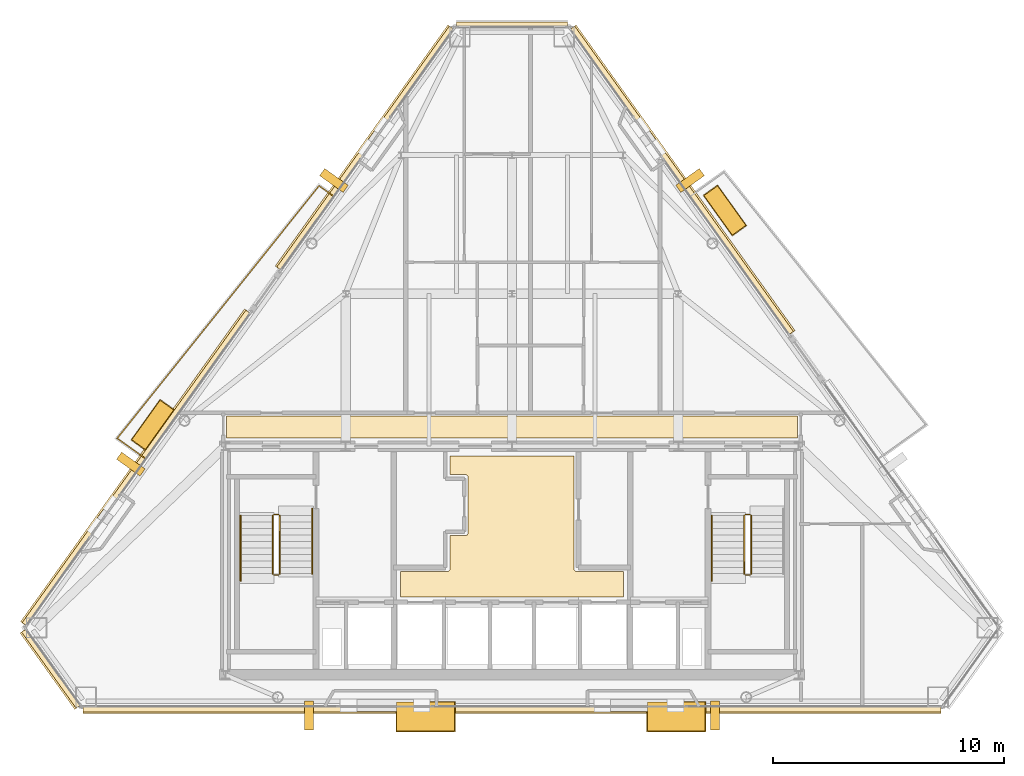
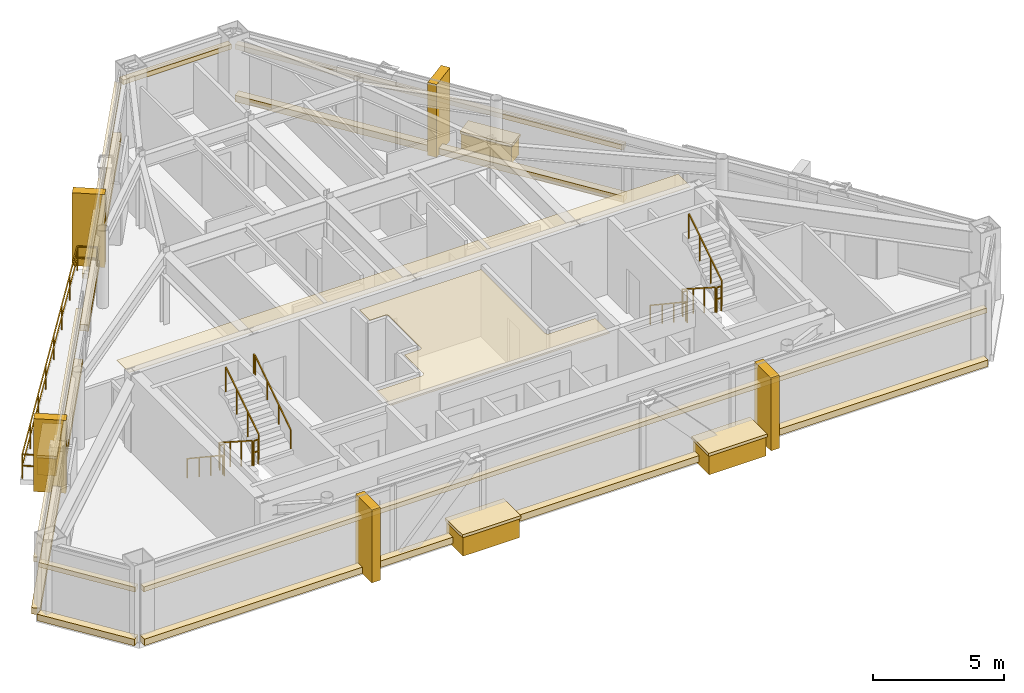
# One storey, part 11 of 12: 26 coverings, 12 railings.
"""IFC4 building model written with IfcOpenShell, lengths in metres."""

import ifcopenshell
import ifcopenshell.guid

model = None  # the IFC model being written
_history = None  # IfcOwnerHistory: only IFC2X3 demands one
_inside = {}  # id of a spatial element -> (the spatial element, [elements in it])
_under = {}  # id of a project, library or spatial element -> (it, [spatial elements below it])
_declared = {}  # id of a project -> (the project, [libraries it declares])
_typed = {}  # id of a type object -> (the type object, [elements of that type])
_made_of = {}  # id of a material, layer set ... -> (it, [elements and type objects made of it])


def new_model(schema):
    """Start an empty IFC model of exactly this schema.

    Asked for "IFC4X3", IfcOpenShell would pick the latest addendum, in which some entities
    have other attributes; the version numbers below select the first issue.
    IFC2X3 requires an IfcOwnerHistory on every rooted entity: one is made here for all.
    """
    global model, _history
    if schema == "IFC4X3":
        model = ifcopenshell.file(schema_version=(4, 3, 0, 0))
    else:
        model = ifcopenshell.file(schema=schema)
    _inside.clear()
    _under.clear()
    _declared.clear()
    _typed.clear()
    _made_of.clear()
    _history = None
    if model.schema == "IFC2X3":
        org = make("IfcOrganization", Name="unknown")
        user = make(
            "IfcPersonAndOrganization",
            ThePerson=make("IfcPerson", FamilyName="unknown"),
            TheOrganization=org,
        )
        app = make(
            "IfcApplication",
            ApplicationDeveloper=org,
            Version="unknown",
            ApplicationFullName="unknown",
            ApplicationIdentifier="unknown",
        )
        _history = make(
            "IfcOwnerHistory",
            OwningUser=user,
            OwningApplication=app,
            ChangeAction="ADDED",
            CreationDate=0,
        )
    return model


def make(cls, **values):
    """One entity of the class cls with the attributes given. An attribute that is None is left unset."""
    return model.create_entity(
        cls, **{name: value for name, value in values.items() if value is not None}
    )


def rooted(cls, **values):
    """An entity with a GlobalId (a new one), such as an element, a storey or a relation."""
    return make(cls, GlobalId=ifcopenshell.guid.new(), OwnerHistory=_history, **values)


def si_unit(unit_type, name, prefix=None):
    """IfcSIUnit, for example si_unit("LENGTHUNIT", "METRE", prefix="MILLI")."""
    return make("IfcSIUnit", UnitType=unit_type, Prefix=prefix, Name=name)


def assignment(units):
    """IfcUnitAssignment: the units of a project."""
    return None if units is None else make("IfcUnitAssignment", Units=units)


def point(xyz):
    """IfcCartesianPoint."""
    return None if xyz is None else make("IfcCartesianPoint", Coordinates=xyz)


def direction(xyz):
    """IfcDirection."""
    return None if xyz is None else make("IfcDirection", DirectionRatios=xyz)


def frame(location, z_axis=None, x_axis=None):
    """IfcAxis2Placement3D, a coordinate frame: its origin and axes. An axis left out is left unset."""
    return make(
        "IfcAxis2Placement3D",
        Location=point(location),
        Axis=direction(z_axis),
        RefDirection=direction(x_axis),
    )


def frame_2d(location, x_axis=None):
    """IfcAxis2Placement2D, a coordinate frame in the plane: its origin and x axis."""
    return make(
        "IfcAxis2Placement2D", Location=point(location), RefDirection=direction(x_axis)
    )


def origin():
    """The frame at (0, 0, 0) with its axes left unset."""
    return frame((0.0, 0.0, 0.0))


def origin_2d():
    """The frame at (0, 0) in the plane with its x axis left unset."""
    return frame_2d((0.0, 0.0))


def place(relative_to, where):
    """IfcLocalPlacement: puts the frame where relative to a parent placement (None: the world)."""
    return make(
        "IfcLocalPlacement", PlacementRelTo=relative_to, RelativePlacement=where
    )


def context(
    kind, dimensions, precision=None, world=None, true_north=None, identifier=None
):
    """IfcGeometricRepresentationContext, for example the 3D "Model" context."""
    return make(
        "IfcGeometricRepresentationContext",
        ContextIdentifier=identifier,
        ContextType=kind,
        CoordinateSpaceDimension=dimensions,
        Precision=precision,
        WorldCoordinateSystem=world,
        TrueNorth=true_north,
    )


def subcontext(parent, identifier, kind, view, scale=None):
    """IfcGeometricRepresentationSubContext, for example "Body" below "Model"."""
    return make(
        "IfcGeometricRepresentationSubContext",
        ContextIdentifier=identifier,
        ContextType=kind,
        ParentContext=parent,
        TargetScale=scale,
        TargetView=view,
    )


def project(units=None, contexts=None):
    """IfcProject with its units and contexts."""
    return rooted(
        "IfcProject",
        Name="project",
        RepresentationContexts=contexts,
        UnitsInContext=assignment(units),
    )


def spatial(cls, under=None, at=None, **own):
    """A site, building, storey or space (cls), placed at a placement, below another one or the project."""
    s = rooted(cls, ObjectPlacement=at, **own)
    if under is not None:
        _under.setdefault(under.id(), (under, []))[1].append(s)
    return s


def polyline(points):
    """IfcPolyline through the points."""
    return make("IfcPolyline", Points=[point(p) for p in points])


def profile(cls, at=None, kind="AREA", **sizes):
    """A parametric profile (cls). Its sizes go by their IFC names, for example OverallWidth=200.0."""
    return make(cls, ProfileType=kind, Position=at, **sizes)


def rectangle(**sizes):
    """IfcRectangleProfileDef."""
    return profile("IfcRectangleProfileDef", **sizes)


def outline(outer, holes=None, kind="AREA"):
    """IfcArbitraryClosedProfileDef: a profile drawn as a closed curve; with holes, ...WithVoids."""
    if holes is None:
        return make("IfcArbitraryClosedProfileDef", ProfileType=kind, OuterCurve=outer)
    return make(
        "IfcArbitraryProfileDefWithVoids",
        ProfileType=kind,
        OuterCurve=outer,
        InnerCurves=holes,
    )


def extrude(swept, where, along, depth):
    """IfcExtrudedAreaSolid: the profile swept, set in the frame where, extruded along a direction by depth."""
    return make(
        "IfcExtrudedAreaSolid",
        SweptArea=swept,
        Position=where,
        ExtrudedDirection=direction(along),
        Depth=depth,
    )


def shape(context_of_items, identifier, shape_type, items):
    """IfcShapeRepresentation: the items that make up one representation, for example the "Body"."""
    return make(
        "IfcShapeRepresentation",
        ContextOfItems=context_of_items,
        RepresentationIdentifier=identifier,
        RepresentationType=shape_type,
        Items=items,
    )


def material(Name=None, Category=None):
    """IfcMaterial."""
    return make("IfcMaterial", Name=Name, Category=Category)


def layer(
    of_material, thickness, ventilated=None, Name=None, Category=None, Priority=None
):
    """IfcMaterialLayer: one layer of a wall or slab, of a material (None: an air gap)."""
    return make(
        "IfcMaterialLayer",
        Material=of_material,
        LayerThickness=thickness,
        IsVentilated=ventilated,
        Name=Name,
        Category=Category,
        Priority=Priority,
    )


def layer_set(layers, Name=None):
    """IfcMaterialLayerSet."""
    return make("IfcMaterialLayerSet", MaterialLayers=layers, LayerSetName=Name)


def made_of(thing, what):
    """Note that an element or type object is made of a material, layer set ...; save() writes the relation."""
    if what is not None:
        _made_of.setdefault(what.id(), (what, []))[1].append(thing)
    return thing


def type_object(cls, material=None, **own):
    """A type object (cls), such as IfcWallType, which elements share."""
    return made_of(rooted(cls, **own), material)


def element(
    cls,
    number,
    at=None,
    inside=None,
    cuts=None,
    type_object=None,
    material=None,
    context=None,
    identifier="Body",
    shape_type=None,
    held_by="IfcProductDefinitionShape",
    body=None,
    shapes=None,
    **own,
):
    """One element of the class cls, such as IfcWall. Its Tag is "e" and its number.

    at: its placement. inside: the storey or other place that contains it. cuts: it is an
    opening in that element (IfcRelVoidsElement). A single representation is given by context,
    identifier, shape_type and body (its items); several are given by shapes. held_by: the class
    of the entity that holds the representations. save() writes the other relations.
    """
    e = rooted(cls, Tag="e%d" % number, ObjectPlacement=at, **own)
    if body is not None:
        shapes = [shape(context, identifier, shape_type, body)]
    if shapes is not None:
        e.Representation = make(held_by, Representations=shapes)
    if inside is not None:
        _inside.setdefault(inside.id(), (inside, []))[1].append(e)
    if cuts is not None:
        rooted(
            "IfcRelVoidsElement", RelatingBuildingElement=cuts, RelatedOpeningElement=e
        )
    if type_object is not None:
        _typed.setdefault(type_object.id(), (type_object, []))[1].append(e)
    return made_of(e, material)


def aggregate(whole, parts):
    """IfcRelAggregates: a whole, such as a stair, and the parts it consists of."""
    return rooted("IfcRelAggregates", RelatingObject=whole, RelatedObjects=parts)


def save(model, path):
    """Write the relations noted so far, then the file.

    IfcRelAggregates (storeys below a building ...), IfcRelContainedInSpatialStructure (elements
    in a storey), IfcRelDefinesByType, IfcRelAssociatesMaterial and IfcRelDeclares: one each for
    every whole, place, type object, material and project.
    """
    for whole, parts in _under.values():
        aggregate(whole, parts)
    for where, things in _inside.values():
        rooted(
            "IfcRelContainedInSpatialStructure",
            RelatedElements=things,
            RelatingStructure=where,
        )
    for kind, things in _typed.values():
        rooted("IfcRelDefinesByType", RelatedObjects=things, RelatingType=kind)
    for what, things in _made_of.values():
        rooted("IfcRelAssociatesMaterial", RelatedObjects=things, RelatingMaterial=what)
    for by, libraries in _declared.values():
        rooted("IfcRelDeclares", RelatingContext=by, RelatedDefinitions=libraries)
    model.write(path)


model = new_model("IFC4")

# Units and contexts
model_context = context("Model", 3, precision=1e-05, world=origin(), true_north=direction((0.0, 1.0)))
body_context = subcontext(model_context, "Body", "Model", "MODEL_VIEW")
ifc_project = project(units=[si_unit("LENGTHUNIT", "METRE"), si_unit("AREAUNIT", "SQUARE_METRE"), si_unit("VOLUMEUNIT", "CUBIC_METRE"), si_unit("PLANEANGLEUNIT", "RADIAN"), si_unit("MASSUNIT", "GRAM", prefix="KILO")], contexts=[model_context])

# Site, building, storey
site_placement = place(None, origin())
site = spatial("IfcSite", under=ifc_project, at=site_placement, CompositionType="ELEMENT")
building_placement = place(site_placement, origin())
building = spatial("IfcBuilding", under=site, at=building_placement, Name="Talgorran Terracotta Tower", CompositionType="ELEMENT")
storey_placement = place(building_placement, frame((0.0, 0.0, 256.199951171875)))
storey = spatial("IfcBuildingStorey", under=building, at=storey_placement, Name="L67", CompositionType="ELEMENT", Elevation=256.199951171875)

# Coverings
ifc_material_1 = material(Name="Kiln-Fired Terracotta Ochre Ceramic", Category="masonry")
ifc_layer_1 = layer(ifc_material_1, 0.179931640625, Name="COV_BAGUETTE_TERRACOTTA_SCREEN")
ifc_layer_set_1 = layer_set([ifc_layer_1], Name="Kiln-Fired Terracotta Ochre Ceramic")
covering_type_1 = type_object("IfcCoveringType", Name="COV_BAGUETTE_TERRACOTTA_SCREEN", PredefinedType="CLADDING", material=ifc_layer_set_1)
covering_1_placement = place(storey_placement, frame((-19.938720703125, -13.818115234375, 2.41015625), z_axis=(0.0, 0.0, 1.0), x_axis=(0.582222304811, -0.813029635242, 0.0)))
element("IfcCovering", 1, at=covering_1_placement, inside=storey, type_object=covering_type_1, Name="L67 Terracotta Baguette Solar Screen Assembly F0", PredefinedType="CLADDING", context=body_context, shape_type="SweptSolid", body=[
    extrude(rectangle(XDim=4.050048828125, YDim=0.260009765625, at=origin_2d()), origin(), (0.0, 0.0, 1.0), 0.219970703125),
])
covering_2_placement = place(storey_placement, frame((0.0, -15.563232421875, 2.41015625), z_axis=(0.0, 0.0, 1.0), x_axis=(1.0, 0.0, 0.0)))
element("IfcCovering", 2, at=covering_2_placement, inside=storey, type_object=covering_type_1, Name="L67 Terracotta Baguette Solar Screen Assembly F1", PredefinedType="CLADDING", context=body_context, shape_type="SweptSolid", body=[
    extrude(rectangle(XDim=37.13525390625, YDim=0.260009765625, at=origin_2d()), origin(), (0.0, 0.0, 1.0), 0.219970703125),
])
covering_3_placement = place(storey_placement, frame((7.3408203125, 7.297607421875, 2.41015625), z_axis=(0.0, 0.0, 1.0), x_axis=(-0.582208114678, 0.813039796814, 0.0)))
element("IfcCovering", 3, at=covering_3_placement, inside=storey, type_object=covering_type_1, Name="L67 Terracotta Baguette Solar Screen Assembly F41", PredefinedType="CLADDING", context=body_context, shape_type="SweptSolid", body=[
    extrude(rectangle(XDim=16.254638671875, YDim=0.260009765625, at=origin_2d()), origin(), (0.0, 0.0, 1.0), 0.219970703125),
])
covering_4_placement = place(storey_placement, frame((0.0, 14.03662109375, 2.41015625), z_axis=(0.0, 0.0, 1.0), x_axis=(-1.0, 0.0, 0.0)))
element("IfcCovering", 4, at=covering_4_placement, inside=storey, type_object=covering_type_1, Name="L67 Terracotta Baguette Solar Screen Assembly F4", PredefinedType="CLADDING", context=body_context, shape_type="SweptSolid", body=[
    extrude(rectangle(XDim=4.787109375, YDim=0.260009765625, at=origin_2d()), origin(), (0.0, 0.0, 1.0), 0.219970703125),
])
covering_5_placement = place(storey_placement, frame((-6.341552734375, 8.693115234375, 2.41015625), z_axis=(0.0, 0.0, 1.0), x_axis=(-0.582208114678, -0.813039796814, 0.0)))
element("IfcCovering", 5, at=covering_5_placement, inside=storey, type_object=covering_type_1, Name="L67 Terracotta Baguette Solar Screen Assembly F60", PredefinedType="CLADDING", context=body_context, shape_type="SweptSolid", body=[
    extrude(rectangle(XDim=12.822021484375, YDim=0.260009765625, at=origin_2d()), origin(), (0.0, 0.0, 1.0), 0.219970703125),
])
covering_6_placement = place(storey_placement, frame((-16.253662109375, -5.149169921875, 2.41015625), z_axis=(0.0, 0.0, 1.0), x_axis=(-0.582208114678, -0.813039796814, 0.0)))
element("IfcCovering", 6, at=covering_6_placement, inside=storey, type_object=covering_type_1, Name="L67 Terracotta Baguette Solar Screen Assembly F61", PredefinedType="CLADDING", context=body_context, shape_type="SweptSolid", body=[
    extrude(rectangle(XDim=16.628662109375, YDim=0.260009765625, at=origin_2d()), origin(), (0.0, 0.0, 1.0), 0.219970703125),
])
ifc_material_2 = material(Name="Mineral Fibre Acoustic Tile")
ifc_layer_2 = layer(ifc_material_2, 0.02490234375, Name="COV_CEIL_ACOUSTIC")
ifc_layer_set_2 = layer_set([ifc_layer_2], Name="Mineral Fibre Acoustic Tile")
covering_type_2 = type_object("IfcCoveringType", Name="COV_CEIL_ACOUSTIC", PredefinedType="CEILING", material=ifc_layer_set_2)
covering_7_placement = place(storey_placement, frame((0.0, 0.0, 3.255126953125)))
element("IfcCovering", 7, at=covering_7_placement, inside=storey, type_object=covering_type_2, Name="CEIL-L67-2", PredefinedType="CEILING", context=body_context, shape_type="SweptSolid", body=[
    extrude(outline(polyline([(-12.364990234375, -2.885009765625), (12.364990234375, -2.885009765625), (12.364990234375, -3.844970703125), (7.432861328125, -3.844970703125), (6.968017578125, -3.843017578125), (6.967529296875, -3.843017578125), (0.232666015625, -3.844970703125), (-0.23193359375, -3.843017578125), (-0.232421875, -3.843017578125), (-6.96728515625, -3.844970703125), (-7.431884765625, -3.843017578125), (-7.4326171875, -3.843017578125), (-12.364990234375, -3.844970703125), (-12.364990234375, -2.885009765625)])), origin(), (0.0, 0.0, 1.0), 0.02001953125),
])
ifc_material_3 = material(Name="Flush Moisture-Resistant Plaster")
ifc_layer_3 = layer(ifc_material_3, 0.01806640625, Name="COV_CEIL_PLASTER")
ifc_layer_set_3 = layer_set([ifc_layer_3], Name="Flush Moisture-Resistant Plaster")
covering_type_3 = type_object("IfcCoveringType", Name="COV_CEIL_PLASTER", PredefinedType="CEILING", material=ifc_layer_set_3)
covering_8_placement = place(storey_placement, frame((0.0, 0.0, 3.255126953125)))
element("IfcCovering", 8, at=covering_8_placement, inside=storey, type_object=covering_type_3, Name="CEIL-L67-1", PredefinedType="CEILING", context=body_context, shape_type="SweptSolid", body=[
    extrude(outline(polyline([(2.679931640625, -4.6201171875), (2.679931640625, -9.5), (2.6806640625, -9.51171875), (2.682373046875, -9.5234375), (2.685302734375, -9.534912109375), (2.689208984375, -9.5458984375), (2.694091796875, -9.556640625), (2.7001953125, -9.566650390625), (2.707275390625, -9.576171875), (2.715087890625, -9.5849609375), (2.723876953125, -9.5927734375), (2.7333984375, -9.599853515625), (2.743408203125, -9.605712890625), (2.754150390625, -9.61083984375), (2.76513671875, -9.61474609375), (2.776611328125, -9.61767578125), (2.7880859375, -9.619384765625), (2.800048828125, -9.6201171875), (4.830078125, -9.6201171875), (4.830078125, -10.72998046875), (-4.830078125, -10.72998046875), (-4.830078125, -9.6201171875), (-2.800048828125, -9.6201171875), (-2.7880859375, -9.619384765625), (-2.776611328125, -9.61767578125), (-2.76513671875, -9.61474609375), (-2.754150390625, -9.61083984375), (-2.743408203125, -9.605712890625), (-2.7333984375, -9.599853515625), (-2.723876953125, -9.5927734375), (-2.715087890625, -9.5849609375), (-2.707275390625, -9.576171875), (-2.7001953125, -9.566650390625), (-2.694091796875, -9.556640625), (-2.689208984375, -9.5458984375), (-2.685302734375, -9.534912109375), (-2.682373046875, -9.5234375), (-2.6806640625, -9.51171875), (-2.679931640625, -9.5), (-2.679931640625, -8.070068359375), (-2.02001953125, -8.070068359375), (-2.00830078125, -8.0693359375), (-1.99658203125, -8.067626953125), (-1.985107421875, -8.064697265625), (-1.97412109375, -8.060791015625), (-1.96337890625, -8.055908203125), (-1.953369140625, -8.0498046875), (-1.94384765625, -8.042724609375), (-1.93505859375, -8.034912109375), (-1.92724609375, -8.026123046875), (-1.920166015625, -8.0166015625), (-1.914306640625, -8.006591796875), (-1.9091796875, -7.995849609375), (-1.9052734375, -7.98486328125), (-1.90234375, -7.973388671875), (-1.900634765625, -7.9619140625), (-1.89990234375, -7.949951171875), (-1.89990234375, -5.550048828125), (-1.900634765625, -5.5380859375), (-1.90234375, -5.526611328125), (-1.9052734375, -5.51513671875), (-1.9091796875, -5.504150390625), (-1.914306640625, -5.493408203125), (-1.920166015625, -5.4833984375), (-1.92724609375, -5.473876953125), (-1.93505859375, -5.465087890625), (-1.94384765625, -5.457275390625), (-1.953369140625, -5.4501953125), (-1.96337890625, -5.444091796875), (-1.97412109375, -5.439208984375), (-1.985107421875, -5.435302734375), (-1.99658203125, -5.432373046875), (-2.00830078125, -5.4306640625), (-2.02001953125, -5.429931640625), (-2.679931640625, -5.429931640625), (-2.679931640625, -4.6201171875), (2.679931640625, -4.6201171875)])), origin(), (0.0, 0.0, 1.0), 0.02001953125),
])
ifc_material_4 = material(Name="Honed Limestone and Terracotta Planter", Category="masonry")
ifc_layer_4 = layer(ifc_material_4, 0.1201171875, Name="COV_PLANTER_BOX")
ifc_layer_set_4 = layer_set([ifc_layer_4], Name="Honed Limestone and Terracotta Planter")
covering_type_4 = type_object("IfcCoveringType", Name="COV_PLANTER_BOX", PredefinedType="CLADDING", material=ifc_layer_set_4)
for number, where, z_axis, x_axis, name in (
    (9, (7.105712890625, -15.9033203125, -0.179931640625), (0.0, 0.0, 1.0), (1.0, 0.0, 0.0), "L67 Staggered South Facade Planter Box 1"),
    (10, (-3.739990234375, -15.9033203125, -0.179931640625), (0.0, 0.0, 1.0), (1.0, 0.0, 0.0), "L67 Staggered South Facade Planter Box 2"),
):
    element("IfcCovering", number, at=place(storey_placement, frame(where, z_axis=z_axis, x_axis=x_axis)), inside=storey, type_object=covering_type_4, Name=name, PredefinedType="CLADDING", context=body_context, shape_type="SweptSolid", body=[
        extrude(rectangle(XDim=2.5, YDim=1.25, at=origin_2d()), origin(), (0.0, 0.0, 1.0), 0.919921875),
    ])
for number, where, z_axis, x_axis, name in (
    (11, (9.215087890625, 6.002685546875, -0.02001953125), (0.0, 0.0, 1.0), (-0.582208114678, 0.813039796814, 0.0), "L67 Staggered Balcony Planter Box BAL-NE"),
    (12, (-15.55029296875, -3.275390625, -0.02001953125), (0.0, 0.0, 1.0), (-0.582208114678, -0.813039796814, 0.0), "L67 Staggered Balcony Planter Box BAL-NW"),
):
    element("IfcCovering", number, at=place(storey_placement, frame(where, z_axis=z_axis, x_axis=x_axis)), inside=storey, type_object=covering_type_4, Name=name, PredefinedType="CLADDING", context=body_context, shape_type="SweptSolid", body=[
        extrude(rectangle(XDim=2.10009765625, YDim=0.719970703125, at=origin_2d()), origin(), (0.0, 0.0, 1.0), 0.860107421875),
    ])
ifc_material_5 = material(Name="Kiln-Fired Terracotta Planter Rim", Category="masonry")
ifc_layer_5 = layer(ifc_material_5, 0.10009765625, Name="COV_PLANTER_RIM")
ifc_layer_set_5 = layer_set([ifc_layer_5], Name="Kiln-Fired Terracotta Planter Rim")
covering_type_5 = type_object("IfcCoveringType", Name="COV_PLANTER_RIM", PredefinedType="CLADDING", material=ifc_layer_set_5)
for number, where, z_axis, x_axis, name in (
    (13, (7.105712890625, -15.9033203125, 0.7099609375), (0.0, 0.0, 1.0), (1.0, 0.0, 0.0), "L67 South Planter Terracotta Rim 1"),
    (14, (-3.739990234375, -15.9033203125, 0.7099609375), (0.0, 0.0, 1.0), (1.0, 0.0, 0.0), "L67 South Planter Terracotta Rim 2"),
):
    element("IfcCovering", number, at=place(storey_placement, frame(where, z_axis=z_axis, x_axis=x_axis)), inside=storey, type_object=covering_type_5, Name=name, PredefinedType="CLADDING", context=body_context, shape_type="SweptSolid", body=[
        extrude(rectangle(XDim=2.580078125, YDim=1.320068359375, at=origin_2d()), origin(), (0.0, 0.0, 1.0), 0.139892578125),
    ])
for number, where, z_axis, x_axis, name in (
    (15, (9.215087890625, 6.002685546875, 0.800048828125), (0.0, 0.0, 1.0), (-0.582208114678, 0.813039796814, 0.0), "L67 Balcony Planter Terracotta Rim BAL-NE"),
    (16, (-15.55029296875, -3.275390625, 0.800048828125), (0.0, 0.0, 1.0), (-0.582208114678, -0.813039796814, 0.0), "L67 Balcony Planter Terracotta Rim BAL-NW"),
):
    element("IfcCovering", number, at=place(storey_placement, frame(where, z_axis=z_axis, x_axis=x_axis)), inside=storey, type_object=covering_type_5, Name=name, PredefinedType="CLADDING", context=body_context, shape_type="SweptSolid", body=[
        extrude(rectangle(XDim=2.179931640625, YDim=0.780029296875, at=origin_2d()), origin(), (0.0, 0.0, 1.0), 0.1201171875),
    ])
ifc_material_6 = material(Name="Honed Limestone Cladding", Category="masonry")
ifc_layer_6 = layer(ifc_material_6, 0.094970703125, Name="COV_PORTAL_LIME")
ifc_layer_set_6 = layer_set([ifc_layer_6], Name="Honed Limestone Cladding")
covering_type_6 = type_object("IfcCoveringType", Name="COV_PORTAL_LIME", PredefinedType="CLADDING", material=ifc_layer_set_6)
for number, where, z_axis, x_axis, name in (
    (17, (-8.788818359375, -15.86328125, -0.050048828125), (0.0, 0.0, 1.0), (1.0, 0.0, 0.0), "L67 White Striped Portal Fin F1-1"),
    (18, (-7.708251953125, 7.2998046875, -0.050048828125), (0.0, 0.0, 1.0), (-0.582208114678, -0.813039796814, 0.0), "L67 White Striped Portal Fin F5-1"),
):
    element("IfcCovering", number, at=place(storey_placement, frame(where, z_axis=z_axis, x_axis=x_axis)), inside=storey, type_object=covering_type_6, Name=name, PredefinedType="CLADDING", context=body_context, shape_type="SweptSolid", body=[
        extrude(rectangle(XDim=0.3798828125, YDim=1.25, at=origin_2d()), origin(), (0.0, 0.0, 1.0), 3.39501953125),
    ])
ifc_material_7 = material(Name="Kiln-Fired Terracotta Cladding", Category="masonry")
ifc_layer_7 = layer(ifc_material_7, 0.090087890625, Name="COV_PORTAL_TERRA")
ifc_layer_set_7 = layer_set([ifc_layer_7], Name="Kiln-Fired Terracotta Cladding")
covering_type_7 = type_object("IfcCoveringType", Name="COV_PORTAL_TERRA", PredefinedType="CLADDING", material=ifc_layer_set_7)
covering_9_placement = place(storey_placement, frame((-19.97119140625, -13.841552734375, -0.0400390625), z_axis=(0.0, 0.0, 1.0), x_axis=(0.582222304811, -0.813029635242, 0.0)))
element("IfcCovering", 19, at=covering_9_placement, inside=storey, type_object=covering_type_7, Name="L67 Striped Postmodern Portal Cladding Band F0", PredefinedType="CLADDING", context=body_context, shape_type="SweptSolid", body=[
    extrude(rectangle(XDim=4.070068359375, YDim=0.340087890625, at=origin_2d()), origin(), (0.0, 0.0, 1.0), 0.300048828125),
])
covering_10_placement = place(storey_placement, frame((0.0, -15.603271484375, -0.0400390625), z_axis=(0.0, 0.0, 1.0), x_axis=(1.0, 0.0, 0.0)))
element("IfcCovering", 20, at=covering_10_placement, inside=storey, type_object=covering_type_7, Name="L67 Striped Postmodern Portal Cladding Band F1", PredefinedType="CLADDING", context=body_context, shape_type="SweptSolid", body=[
    extrude(rectangle(XDim=37.1552734375, YDim=0.340087890625, at=origin_2d()), origin(), (0.0, 0.0, 1.0), 0.300048828125),
])
covering_11_placement = place(storey_placement, frame((7.373291015625, 7.321044921875, -0.0400390625), z_axis=(0.0, 0.0, 1.0), x_axis=(-0.582208114678, 0.813039796814, 0.0)))
element("IfcCovering", 21, at=covering_11_placement, inside=storey, type_object=covering_type_7, Name="L67 Striped Postmodern Portal Cladding Band F41", PredefinedType="CLADDING", context=body_context, shape_type="SweptSolid", body=[
    extrude(rectangle(XDim=16.274658203125, YDim=0.340087890625, at=origin_2d()), origin(), (0.0, 0.0, 1.0), 0.300048828125),
])
covering_12_placement = place(storey_placement, frame((-6.3740234375, 8.71630859375, -0.0400390625), z_axis=(0.0, 0.0, 1.0), x_axis=(-0.582208114678, -0.813039796814, 0.0)))
element("IfcCovering", 22, at=covering_12_placement, inside=storey, type_object=covering_type_7, Name="L67 Striped Postmodern Portal Cladding Band F60", PredefinedType="CLADDING", context=body_context, shape_type="SweptSolid", body=[
    extrude(rectangle(XDim=12.842041015625, YDim=0.340087890625, at=origin_2d()), origin(), (0.0, 0.0, 1.0), 0.300048828125),
])
covering_13_placement = place(storey_placement, frame((-16.2861328125, -5.1259765625, -0.0400390625), z_axis=(0.0, 0.0, 1.0), x_axis=(-0.582208114678, -0.813039796814, 0.0)))
element("IfcCovering", 23, at=covering_13_placement, inside=storey, type_object=covering_type_7, Name="L67 Striped Postmodern Portal Cladding Band F61", PredefinedType="CLADDING", context=body_context, shape_type="SweptSolid", body=[
    extrude(rectangle(XDim=16.648681640625, YDim=0.340087890625, at=origin_2d()), origin(), (0.0, 0.0, 1.0), 0.300048828125),
])
for number, where, z_axis, x_axis, name in (
    (24, (8.788818359375, -15.86328125, -0.050048828125), (0.0, 0.0, 1.0), (1.0, 0.0, 0.0), "L67 Terracotta Striped Portal Fin F1-2"),
    (25, (7.708251953125, 7.2998046875, -0.050048828125), (0.0, 0.0, 1.0), (-0.582208114678, 0.813039796814, 0.0), "L67 Terracotta Striped Portal Fin F3-2"),
    (26, (-16.4970703125, -4.9736328125, -0.050048828125), (0.0, 0.0, 1.0), (-0.582208114678, -0.813039796814, 0.0), "L67 Terracotta Striped Portal Fin F5-2"),
):
    element("IfcCovering", number, at=place(storey_placement, frame(where, z_axis=z_axis, x_axis=x_axis)), inside=storey, type_object=covering_type_7, Name=name, PredefinedType="CLADDING", context=body_context, shape_type="SweptSolid", body=[
        extrude(rectangle(XDim=0.3798828125, YDim=1.25, at=origin_2d()), origin(), (0.0, 0.0, 1.0), 3.39501953125),
    ])

# Railings
ifc_material_8 = material(Name="Laminated Glass and Stainless Steel 316", Category="steel")
railing_type_1 = type_object("IfcRailingType", Name="RL_BALCONY_1150", PredefinedType="BALUSTRADE", material=ifc_material_8)
railing_1_placement = place(storey_placement, frame((-7.726318359375, 6.62158203125, 0.0)))
element("IfcRailing", 27, at=railing_1_placement, inside=storey, type_object=railing_type_1, Name="RL-L67-BAL-BAL-NW", PredefinedType="BALUSTRADE", context=body_context, shape_type="SweptSolid", body=[
    extrude(rectangle(XDim=0.048095703125, YDim=0.048095703125, at=origin_2d()), frame((0.0, 0.0, 1.1259765625), z_axis=(-0.813067685414, 0.582169166939, 0.0), x_axis=(-0.582169166939, -0.813067685414, 0.0)), (0.0, 0.0, 1.0), 0.768798828125),
    extrude(rectangle(XDim=0.048095703125, YDim=0.048095703125, at=origin_2d()), frame((0.0, 0.0, 0.597900390625), z_axis=(-0.813067685414, 0.582169166939, 0.0), x_axis=(-0.582169166939, -0.813067685414, 0.0)), (0.0, 0.0, 1.0), 0.768798828125),
    extrude(rectangle(XDim=0.048095703125, YDim=0.048095703125, at=origin_2d()), frame((-0.625, 0.447509765625, 1.1259765625), z_axis=(-0.624435403675, -0.781076453772, 0.0), x_axis=(0.781076453772, -0.624435403675, 0.0)), (0.0, 0.0, 1.0), 13.991455078125),
    extrude(rectangle(XDim=0.048095703125, YDim=0.048095703125, at=origin_2d()), frame((-0.625, 0.447509765625, 0.597900390625), z_axis=(-0.624435403675, -0.781076453772, 0.0), x_axis=(0.781076453772, -0.624435403675, 0.0)), (0.0, 0.0, 1.0), 13.991455078125),
    extrude(rectangle(XDim=0.048095703125, YDim=0.048095703125, at=origin_2d()), frame((-9.36181640625, -10.48095703125, 1.1259765625), z_axis=(0.813044294533, -0.582201833669, 0.0), x_axis=(0.582201833669, 0.813044294533, 0.0)), (0.0, 0.0, 1.0), 1.50927734375),
    extrude(rectangle(XDim=0.048095703125, YDim=0.048095703125, at=origin_2d()), frame((-9.36181640625, -10.48095703125, 0.597900390625), z_axis=(0.813044294533, -0.582201833669, 0.0), x_axis=(0.582201833669, 0.813044294533, 0.0)), (0.0, 0.0, 1.0), 1.50927734375),
    extrude(rectangle(XDim=0.0419921875, YDim=0.0419921875, at=origin_2d()), origin(), (0.0, 0.0, 1.0), 1.101806640625),
    extrude(rectangle(XDim=0.0419921875, YDim=0.0419921875, at=origin_2d()), frame((-0.625, 0.447509765625, 0.0)), (0.0, 0.0, 1.0), 1.101806640625),
    extrude(rectangle(XDim=0.0419921875, YDim=0.0419921875, at=origin_2d()), frame((-1.873046875, -1.11376953125, 0.0)), (0.0, 0.0, 1.0), 1.101806640625),
    extrude(rectangle(XDim=0.0419921875, YDim=0.0419921875, at=origin_2d()), frame((-3.121337890625, -2.6748046875, 0.0)), (0.0, 0.0, 1.0), 1.101806640625),
    extrude(rectangle(XDim=0.0419921875, YDim=0.0419921875, at=origin_2d()), frame((-4.369384765625, -4.236083984375, 0.0)), (0.0, 0.0, 1.0), 1.101806640625),
    extrude(rectangle(XDim=0.0419921875, YDim=0.0419921875, at=origin_2d()), frame((-5.617431640625, -5.79736328125, 0.0)), (0.0, 0.0, 1.0), 1.101806640625),
    extrude(rectangle(XDim=0.0419921875, YDim=0.0419921875, at=origin_2d()), frame((-6.865478515625, -7.358642578125, 0.0)), (0.0, 0.0, 1.0), 1.101806640625),
    extrude(rectangle(XDim=0.0419921875, YDim=0.0419921875, at=origin_2d()), frame((-8.11376953125, -8.919677734375, 0.0)), (0.0, 0.0, 1.0), 1.101806640625),
    extrude(rectangle(XDim=0.0419921875, YDim=0.0419921875, at=origin_2d()), frame((-9.36181640625, -10.48095703125, 0.0)), (0.0, 0.0, 1.0), 1.101806640625),
    extrude(rectangle(XDim=0.0419921875, YDim=0.0419921875, at=origin_2d()), frame((-8.134765625, -11.359619140625, 0.0)), (0.0, 0.0, 1.0), 1.101806640625),
])
ifc_material_9 = material(Name="Steel S355 (300PLUS)", Category="steel")
railing_type_2 = type_object("IfcRailingType", Name="RL_HANDRAIL_920", PredefinedType="HANDRAIL", material=ifc_material_9)
railing_2_placement = place(storey_placement, frame((-11.75, -7.199951171875, 0.179931640625)))
element("IfcRailing", 28, at=railing_2_placement, inside=storey, type_object=railing_type_2, Name="L67 ST-01 stair handrail 1", PredefinedType="HANDRAIL", context=body_context, shape_type="SweptSolid", body=[
    extrude(rectangle(XDim=0.048095703125, YDim=0.048095703125, at=origin_2d()), frame((0.0, 0.0, 0.89599609375), z_axis=(0.0, -0.832038719335, 0.554717558338), x_axis=(1.0, 0.0, 0.0)), (0.0, 0.0, 1.0), 3.244873046875),
    extrude(rectangle(XDim=0.048095703125, YDim=0.048095703125, at=origin_2d()), frame((0.0, -2.699951171875, 2.69580078125), z_axis=(0.0, -1.0, 0.0), x_axis=(1.0, 0.0, 0.0)), (0.0, 0.0, 1.0), 0.1201171875),
    extrude(rectangle(XDim=0.0419921875, YDim=0.0419921875, at=origin_2d()), origin(), (0.0, 0.0, 1.0), 0.871826171875),
    extrude(rectangle(XDim=0.0419921875, YDim=0.0419921875, at=origin_2d()), frame((0.0, -0.89990234375, 0.60009765625)), (0.0, 0.0, 1.0), 0.871826171875),
    extrude(rectangle(XDim=0.0419921875, YDim=0.0419921875, at=origin_2d()), frame((0.0, -1.800048828125, 1.199951171875)), (0.0, 0.0, 1.0), 0.871826171875),
    extrude(rectangle(XDim=0.0419921875, YDim=0.0419921875, at=origin_2d()), frame((0.0, -2.699951171875, 1.800048828125)), (0.0, 0.0, 1.0), 0.871826171875),
    extrude(rectangle(XDim=0.0419921875, YDim=0.0419921875, at=origin_2d()), frame((0.0, -2.820068359375, 1.800048828125)), (0.0, 0.0, 1.0), 0.871826171875),
])
railing_3_placement = place(storey_placement, frame((-8.64990234375, -9.719970703125, 1.97998046875)))
element("IfcRailing", 29, at=railing_3_placement, inside=storey, type_object=railing_type_2, Name="L67 ST-01 stair handrail 2", PredefinedType="HANDRAIL", context=body_context, shape_type="SweptSolid", body=[
    extrude(rectangle(XDim=0.048095703125, YDim=0.048095703125, at=origin_2d()), frame((0.0, 0.0, 0.89599609375), z_axis=(0.0, 0.832038719335, 0.554717558338), x_axis=(-1.0, 0.0, 0.0)), (0.0, 0.0, 1.0), 3.244873046875),
    extrude(rectangle(XDim=0.048095703125, YDim=0.048095703125, at=origin_2d()), frame((0.0, 2.699951171875, 2.69580078125), z_axis=(0.0, 1.0, 0.0), x_axis=(-1.0, 0.0, 0.0)), (0.0, 0.0, 1.0), 0.1201171875),
    extrude(rectangle(XDim=0.0419921875, YDim=0.0419921875, at=origin_2d()), origin(), (0.0, 0.0, 1.0), 0.871826171875),
    extrude(rectangle(XDim=0.0419921875, YDim=0.0419921875, at=origin_2d()), frame((0.0, 0.89990234375, 0.60009765625)), (0.0, 0.0, 1.0), 0.871826171875),
    extrude(rectangle(XDim=0.0419921875, YDim=0.0419921875, at=origin_2d()), frame((0.0, 1.800048828125, 1.199951171875)), (0.0, 0.0, 1.0), 0.871826171875),
    extrude(rectangle(XDim=0.0419921875, YDim=0.0419921875, at=origin_2d()), frame((0.0, 2.699951171875, 1.800048828125)), (0.0, 0.0, 1.0), 0.871826171875),
    extrude(rectangle(XDim=0.0419921875, YDim=0.0419921875, at=origin_2d()), frame((0.0, 2.820068359375, 1.800048828125)), (0.0, 0.0, 1.0), 0.871826171875),
])
railing_4_placement = place(storey_placement, frame((8.64990234375, -7.199951171875, 0.179931640625)))
element("IfcRailing", 30, at=railing_4_placement, inside=storey, type_object=railing_type_2, Name="L67 ST-02 stair handrail 1", PredefinedType="HANDRAIL", context=body_context, shape_type="SweptSolid", body=[
    extrude(rectangle(XDim=0.048095703125, YDim=0.048095703125, at=origin_2d()), frame((0.0, 0.0, 0.89599609375), z_axis=(0.0, -0.832038719335, 0.554717558338), x_axis=(1.0, 0.0, 0.0)), (0.0, 0.0, 1.0), 3.244873046875),
    extrude(rectangle(XDim=0.048095703125, YDim=0.048095703125, at=origin_2d()), frame((0.0, -2.699951171875, 2.69580078125), z_axis=(0.0, -1.0, 0.0), x_axis=(1.0, 0.0, 0.0)), (0.0, 0.0, 1.0), 0.1201171875),
    extrude(rectangle(XDim=0.0419921875, YDim=0.0419921875, at=origin_2d()), origin(), (0.0, 0.0, 1.0), 0.871826171875),
    extrude(rectangle(XDim=0.0419921875, YDim=0.0419921875, at=origin_2d()), frame((0.0, -0.89990234375, 0.60009765625)), (0.0, 0.0, 1.0), 0.871826171875),
    extrude(rectangle(XDim=0.0419921875, YDim=0.0419921875, at=origin_2d()), frame((0.0, -1.800048828125, 1.199951171875)), (0.0, 0.0, 1.0), 0.871826171875),
    extrude(rectangle(XDim=0.0419921875, YDim=0.0419921875, at=origin_2d()), frame((0.0, -2.699951171875, 1.800048828125)), (0.0, 0.0, 1.0), 0.871826171875),
    extrude(rectangle(XDim=0.0419921875, YDim=0.0419921875, at=origin_2d()), frame((0.0, -2.820068359375, 1.800048828125)), (0.0, 0.0, 1.0), 0.871826171875),
])
railing_type_3 = type_object("IfcRailingType", Name="RL_STAIR_GUARD", PredefinedType="GUARDRAIL", material=ifc_material_9)
railing_5_placement = place(storey_placement, frame((-10.35009765625, -7.199951171875, 0.179931640625)))
element("IfcRailing", 31, at=railing_5_placement, inside=storey, type_object=railing_type_3, Name="L67 ST-01 stair guard 1", PredefinedType="GUARDRAIL", context=body_context, shape_type="SweptSolid", body=[
    extrude(rectangle(XDim=0.048095703125, YDim=0.048095703125, at=origin_2d()), frame((0.0, 0.0, 1.15576171875), z_axis=(0.0, -0.841162588446, 0.540782303519), x_axis=(1.0, 0.0, 0.0)), (0.0, 0.0, 1.0), 2.995849609375),
    extrude(rectangle(XDim=0.0419921875, YDim=0.0419921875, at=origin_2d()), origin(), (0.0, 0.0, 1.0), 1.1318359375),
    extrude(rectangle(XDim=0.0419921875, YDim=0.0419921875, at=origin_2d()), frame((0.0, -0.840087890625, 0.5400390625)), (0.0, 0.0, 1.0), 1.1318359375),
    extrude(rectangle(XDim=0.0419921875, YDim=0.0419921875, at=origin_2d()), frame((0.0, -1.679931640625, 1.080078125)), (0.0, 0.0, 1.0), 1.1318359375),
    extrude(rectangle(XDim=0.0419921875, YDim=0.0419921875, at=origin_2d()), frame((0.0, -2.52001953125, 1.6201171875)), (0.0, 0.0, 1.0), 1.1318359375),
])
railing_6_placement = place(storey_placement, frame((-10.300048828125, -9.77001953125, 1.800048828125)))
element("IfcRailing", 32, at=railing_6_placement, inside=storey, type_object=railing_type_3, Name="L67 ST-01 stair guard 2", PredefinedType="GUARDRAIL", context=body_context, shape_type="SweptSolid", body=[
    extrude(rectangle(XDim=0.048095703125, YDim=0.048095703125, at=origin_2d()), frame((0.0, 0.0, 1.15576171875), z_axis=(1.0, 0.0, 0.0), x_axis=(0.0, 1.0, 0.0)), (0.0, 0.0, 1.0), 0.199951171875),
    extrude(rectangle(XDim=0.048095703125, YDim=0.048095703125, at=origin_2d()), frame((0.0, 0.0, 0.613525390625), z_axis=(1.0, 0.0, 0.0), x_axis=(0.0, 1.0, 0.0)), (0.0, 0.0, 1.0), 0.199951171875),
    extrude(rectangle(XDim=0.0419921875, YDim=0.0419921875, at=origin_2d()), origin(), (0.0, 0.0, 1.0), 1.1318359375),
    extrude(rectangle(XDim=0.0419921875, YDim=0.0419921875, at=origin_2d()), frame((0.199951171875, 0.0, 0.0)), (0.0, 0.0, 1.0), 1.1318359375),
])
railing_7_placement = place(storey_placement, frame((-10.050048828125, -9.719970703125, 1.97998046875)))
element("IfcRailing", 33, at=railing_7_placement, inside=storey, type_object=railing_type_3, Name="L67 ST-01 stair guard 3", PredefinedType="GUARDRAIL", context=body_context, shape_type="SweptSolid", body=[
    extrude(rectangle(XDim=0.048095703125, YDim=0.048095703125, at=origin_2d()), frame((0.0, 0.0, 1.15576171875), z_axis=(0.0, 0.841162588446, 0.540782303519), x_axis=(-1.0, 0.0, 0.0)), (0.0, 0.0, 1.0), 2.995849609375),
    extrude(rectangle(XDim=0.0419921875, YDim=0.0419921875, at=origin_2d()), origin(), (0.0, 0.0, 1.0), 1.1318359375),
    extrude(rectangle(XDim=0.0419921875, YDim=0.0419921875, at=origin_2d()), frame((0.0, 0.840087890625, 0.5400390625)), (0.0, 0.0, 1.0), 1.1318359375),
    extrude(rectangle(XDim=0.0419921875, YDim=0.0419921875, at=origin_2d()), frame((0.0, 1.679931640625, 1.080078125)), (0.0, 0.0, 1.0), 1.1318359375),
    extrude(rectangle(XDim=0.0419921875, YDim=0.0419921875, at=origin_2d()), frame((0.0, 2.52001953125, 1.6201171875)), (0.0, 0.0, 1.0), 1.1318359375),
])
railing_8_placement = place(storey_placement, frame((-10.300048828125, -7.14990234375, 0.0)))
element("IfcRailing", 34, at=railing_8_placement, inside=storey, type_object=railing_type_3, Name="L67 ST-01 stair guard 4", PredefinedType="GUARDRAIL", context=body_context, shape_type="SweptSolid", body=[
    extrude(rectangle(XDim=0.048095703125, YDim=0.048095703125, at=origin_2d()), frame((0.0, 0.0, 1.15576171875), z_axis=(1.0, 0.0, 0.0), x_axis=(0.0, 1.0, 0.0)), (0.0, 0.0, 1.0), 0.199951171875),
    extrude(rectangle(XDim=0.048095703125, YDim=0.048095703125, at=origin_2d()), frame((0.0, 0.0, 0.613525390625), z_axis=(1.0, 0.0, 0.0), x_axis=(0.0, 1.0, 0.0)), (0.0, 0.0, 1.0), 0.199951171875),
    extrude(rectangle(XDim=0.0419921875, YDim=0.0419921875, at=origin_2d()), origin(), (0.0, 0.0, 1.0), 1.1318359375),
    extrude(rectangle(XDim=0.0419921875, YDim=0.0419921875, at=origin_2d()), frame((0.199951171875, 0.0, 0.0)), (0.0, 0.0, 1.0), 1.1318359375),
])
railing_9_placement = place(storey_placement, frame((10.050048828125, -7.199951171875, 0.179931640625)))
element("IfcRailing", 35, at=railing_9_placement, inside=storey, type_object=railing_type_3, Name="L67 ST-02 stair guard 1", PredefinedType="GUARDRAIL", context=body_context, shape_type="SweptSolid", body=[
    extrude(rectangle(XDim=0.048095703125, YDim=0.048095703125, at=origin_2d()), frame((0.0, 0.0, 1.15576171875), z_axis=(0.0, -0.841162588446, 0.540782303519), x_axis=(1.0, 0.0, 0.0)), (0.0, 0.0, 1.0), 2.995849609375),
    extrude(rectangle(XDim=0.0419921875, YDim=0.0419921875, at=origin_2d()), origin(), (0.0, 0.0, 1.0), 1.1318359375),
    extrude(rectangle(XDim=0.0419921875, YDim=0.0419921875, at=origin_2d()), frame((0.0, -0.840087890625, 0.5400390625)), (0.0, 0.0, 1.0), 1.1318359375),
    extrude(rectangle(XDim=0.0419921875, YDim=0.0419921875, at=origin_2d()), frame((0.0, -1.679931640625, 1.080078125)), (0.0, 0.0, 1.0), 1.1318359375),
    extrude(rectangle(XDim=0.0419921875, YDim=0.0419921875, at=origin_2d()), frame((0.0, -2.52001953125, 1.6201171875)), (0.0, 0.0, 1.0), 1.1318359375),
])
railing_10_placement = place(storey_placement, frame((10.10009765625, -9.77001953125, 1.800048828125)))
element("IfcRailing", 36, at=railing_10_placement, inside=storey, type_object=railing_type_3, Name="L67 ST-02 stair guard 2", PredefinedType="GUARDRAIL", context=body_context, shape_type="SweptSolid", body=[
    extrude(rectangle(XDim=0.048095703125, YDim=0.048095703125, at=origin_2d()), frame((0.0, 0.0, 1.15576171875), z_axis=(1.0, 0.0, 0.0), x_axis=(0.0, 1.0, 0.0)), (0.0, 0.0, 1.0), 0.199951171875),
    extrude(rectangle(XDim=0.048095703125, YDim=0.048095703125, at=origin_2d()), frame((0.0, 0.0, 0.613525390625), z_axis=(1.0, 0.0, 0.0), x_axis=(0.0, 1.0, 0.0)), (0.0, 0.0, 1.0), 0.199951171875),
    extrude(rectangle(XDim=0.0419921875, YDim=0.0419921875, at=origin_2d()), origin(), (0.0, 0.0, 1.0), 1.1318359375),
    extrude(rectangle(XDim=0.0419921875, YDim=0.0419921875, at=origin_2d()), frame((0.199951171875, 0.0, 0.0)), (0.0, 0.0, 1.0), 1.1318359375),
])
railing_11_placement = place(storey_placement, frame((10.35009765625, -9.719970703125, 1.97998046875)))
element("IfcRailing", 37, at=railing_11_placement, inside=storey, type_object=railing_type_3, Name="L67 ST-02 stair guard 3", PredefinedType="GUARDRAIL", context=body_context, shape_type="SweptSolid", body=[
    extrude(rectangle(XDim=0.048095703125, YDim=0.048095703125, at=origin_2d()), frame((0.0, 0.0, 1.15576171875), z_axis=(0.0, 0.841162588446, 0.540782303519), x_axis=(-1.0, 0.0, 0.0)), (0.0, 0.0, 1.0), 2.995849609375),
    extrude(rectangle(XDim=0.0419921875, YDim=0.0419921875, at=origin_2d()), origin(), (0.0, 0.0, 1.0), 1.1318359375),
    extrude(rectangle(XDim=0.0419921875, YDim=0.0419921875, at=origin_2d()), frame((0.0, 0.840087890625, 0.5400390625)), (0.0, 0.0, 1.0), 1.1318359375),
    extrude(rectangle(XDim=0.0419921875, YDim=0.0419921875, at=origin_2d()), frame((0.0, 1.679931640625, 1.080078125)), (0.0, 0.0, 1.0), 1.1318359375),
    extrude(rectangle(XDim=0.0419921875, YDim=0.0419921875, at=origin_2d()), frame((0.0, 2.52001953125, 1.6201171875)), (0.0, 0.0, 1.0), 1.1318359375),
])
railing_12_placement = place(storey_placement, frame((10.10009765625, -7.14990234375, 0.0)))
element("IfcRailing", 38, at=railing_12_placement, inside=storey, type_object=railing_type_3, Name="L67 ST-02 stair guard 4", PredefinedType="GUARDRAIL", context=body_context, shape_type="SweptSolid", body=[
    extrude(rectangle(XDim=0.048095703125, YDim=0.048095703125, at=origin_2d()), frame((0.0, 0.0, 1.15576171875), z_axis=(1.0, 0.0, 0.0), x_axis=(0.0, 1.0, 0.0)), (0.0, 0.0, 1.0), 0.199951171875),
    extrude(rectangle(XDim=0.048095703125, YDim=0.048095703125, at=origin_2d()), frame((0.0, 0.0, 0.613525390625), z_axis=(1.0, 0.0, 0.0), x_axis=(0.0, 1.0, 0.0)), (0.0, 0.0, 1.0), 0.199951171875),
    extrude(rectangle(XDim=0.0419921875, YDim=0.0419921875, at=origin_2d()), origin(), (0.0, 0.0, 1.0), 1.1318359375),
    extrude(rectangle(XDim=0.0419921875, YDim=0.0419921875, at=origin_2d()), frame((0.199951171875, 0.0, 0.0)), (0.0, 0.0, 1.0), 1.1318359375),
])

save(model, "model.ifc")
